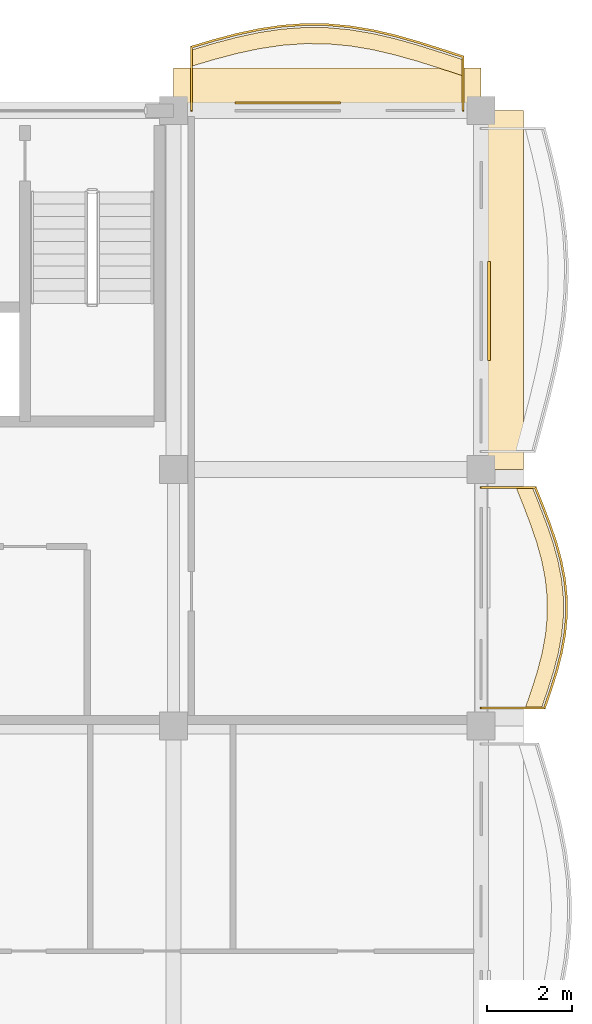
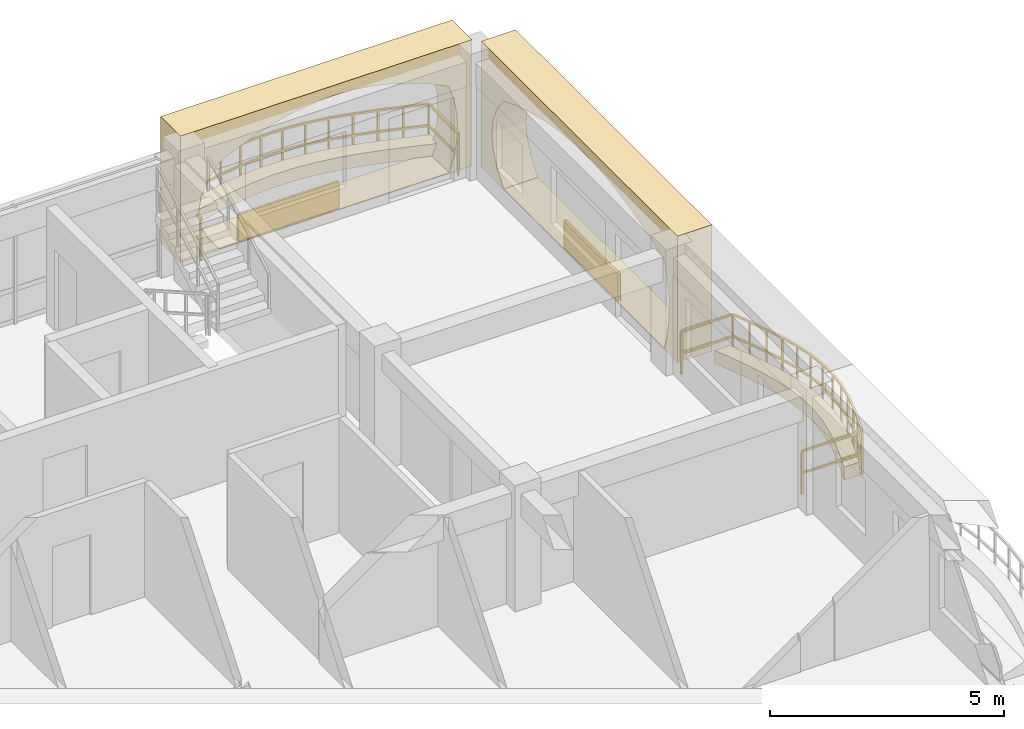
# One storey, part 75 of 76: 6 coverings, 2 railings.
"""IFC4 building model written with IfcOpenShell, lengths in metres."""

from ifc_helpers import new_model, si_unit, direction, frame, origin, origin_2d, place, context, subcontext, project, spatial, polyline, rectangle, outline, extrude, material, layer, layer_set, type_object, element, save


model = new_model("IFC4")

# Units and contexts
model_context = context("Model", 3, precision=1e-05, world=origin(), true_north=direction((0.0, 1.0)))
body_context = subcontext(model_context, "Body", "Model", "MODEL_VIEW")
ifc_project = project(units=[si_unit("LENGTHUNIT", "METRE"), si_unit("AREAUNIT", "SQUARE_METRE"), si_unit("VOLUMEUNIT", "CUBIC_METRE"), si_unit("PLANEANGLEUNIT", "RADIAN"), si_unit("MASSUNIT", "GRAM", prefix="KILO"), si_unit("THERMODYNAMICTEMPERATUREUNIT", "KELVIN")], contexts=[model_context])

# Site, building, storey
site_placement = place(None, origin())
site = spatial("IfcSite", under=ifc_project, at=site_placement, CompositionType="ELEMENT")
building_placement = place(site_placement, origin())
building = spatial("IfcBuilding", under=site, at=building_placement, Name="Thalorik Housing Commons", CompositionType="ELEMENT")
storey_placement = place(building_placement, frame((0.0, 0.0, 18.0)))
storey = spatial("IfcBuildingStorey", under=building, at=storey_placement, Name="L05", CompositionType="ELEMENT", Elevation=18.0)

# Coverings
ifc_material_1 = material(Name="Precast concrete C40/50", Category="concrete")
ifc_layer_1 = layer(ifc_material_1, 0.85009765625, Name="Precast concrete C40/50", Category="concrete")
ifc_layer_set_1 = layer_set([ifc_layer_1], Name="Precast concrete C40/50")
covering_type_1 = type_object("IfcCoveringType", Name="ARC-CLD-CUSH-850", PredefinedType="CLADDING", material=ifc_layer_set_1)
covering_1_placement = place(storey_placement, frame((174.570068359375, 119.39990234375, 0.0), z_axis=(0.0, 0.0, 1.0), x_axis=(0.0, 1.0, 0.0)))
element("IfcCovering", 1, at=covering_1_placement, inside=storey, type_object=covering_type_1, Name="L05 White Precast Curved Cushion Bay Frame 2204", PredefinedType="CLADDING", context=body_context, shape_type="SweptSolid", body=[
    extrude(outline(polyline([(-4.199951171875, 0.0), (4.199951171875, 0.0), (4.199951171875, 3.300048828125), (-4.199951171875, 3.300048828125), (-4.199951171875, 0.0)]), holes=[polyline([(3.239990234375, 0.02490234375), (3.523193359375, 0.407470703125), (3.693359375, 0.7900390625), (3.75, 1.172607421875), (3.693359375, 1.554931640625), (3.523193359375, 1.9375), (3.239990234375, 2.320068359375), (2.66748046875, 2.539306640625), (2.094970703125, 2.711181640625), (1.5224609375, 2.8505859375), (0.949951171875, 2.954345703125), (0.37744140625, 3.018310546875), (-0.195068359375, 3.0400390625), (-0.767578125, 3.018310546875), (-1.340087890625, 2.954345703125), (-1.91259765625, 2.8505859375), (-2.485107421875, 2.711181640625), (-3.0576171875, 2.539306640625), (-3.6298828125, 2.320068359375), (-3.750244140625, 1.9375), (-3.822509765625, 1.554931640625), (-3.8466796875, 1.172607421875), (-3.822509765625, 0.7900390625), (-3.750244140625, 0.407470703125), (-3.6298828125, 0.02490234375), (3.239990234375, 0.02490234375)])]), frame((0.0, 0.425048828125, 0.0), z_axis=(0.0, -1.0, 0.0), x_axis=(1.0, 0.0, 0.0)), (0.0, 0.0, 1.0), 0.85009765625),
])
covering_2_placement = place(storey_placement, frame((170.39990234375, 124.169921875, 0.0), z_axis=(0.0, 0.0, 1.0), x_axis=(-1.0, 0.0, 0.0)))
element("IfcCovering", 2, at=covering_2_placement, inside=storey, type_object=covering_type_1, Name="L05 White Precast Curved Cushion Bay Frame 2206", PredefinedType="CLADDING", context=body_context, shape_type="SweptSolid", body=[
    extrude(outline(polyline([(-3.60009765625, 0.0), (3.60009765625, 0.0), (3.60009765625, 3.300048828125), (-3.60009765625, 3.300048828125), (-3.60009765625, 0.0)]), holes=[polyline([(2.639892578125, 0.02490234375), (2.92333984375, 0.40087890625), (3.09326171875, 0.776611328125), (3.14990234375, 1.152587890625), (3.09326171875, 1.5283203125), (2.92333984375, 1.904296875), (2.639892578125, 2.280029296875), (2.16748046875, 2.51123046875), (1.695068359375, 2.693115234375), (1.222412109375, 2.840087890625), (0.75, 2.94970703125), (0.277587890625, 3.01708984375), (-0.195068359375, 3.0400390625), (-0.66748046875, 3.01708984375), (-1.139892578125, 2.94970703125), (-1.612548828125, 2.840087890625), (-2.0849609375, 2.693115234375), (-2.5576171875, 2.51123046875), (-3.030029296875, 2.280029296875), (-3.150390625, 1.904296875), (-3.222412109375, 1.5283203125), (-3.24658203125, 1.152587890625), (-3.222412109375, 0.776611328125), (-3.150390625, 0.40087890625), (-3.030029296875, 0.02490234375), (2.639892578125, 0.02490234375)])]), frame((0.0, 0.425048828125, 0.0), z_axis=(0.0, -1.0, 0.0), x_axis=(1.0, 0.0, 0.0)), (0.0, 0.0, 1.0), 0.85009765625),
])
ifc_material_2 = material(Name="Terracotta red mineral fibre-cement panel", Category="masonry")
ifc_layer_2 = layer(ifc_material_2, 0.054931640625, Name="Terracotta red mineral fibre-cement panel", Category="masonry")
ifc_layer_set_2 = layer_set([ifc_layer_2], Name="Terracotta red mineral fibre-cement panel")
covering_type_2 = type_object("IfcCoveringType", Name="ARC-CLD-RED-55", PredefinedType="CLADDING", material=ifc_layer_set_2)
covering_3_placement = place(storey_placement, frame((169.47509765625, 123.777587890625, 0.0498046875), z_axis=(0.0, 0.0, 1.0), x_axis=(-1.0, 0.0, 0.0)))
element("IfcCovering", 3, at=covering_3_placement, inside=storey, type_object=covering_type_2, Name="L05 De Stijl Recessed Window Spandrel 2207", PredefinedType="CLADDING", context=body_context, shape_type="SweptSolid", body=[
    extrude(rectangle(XDim=2.47998046875, YDim=0.054931640625, at=origin_2d()), origin(), (0.0, 0.0, 1.0), 0.699951171875),
])
ifc_material_3 = material(Name="Mineral ochre architectural terracotta panel", Category="masonry")
ifc_layer_3 = layer(ifc_material_3, 0.06494140625, Name="Mineral ochre architectural terracotta panel", Category="masonry")
ifc_layer_set_3 = layer_set([ifc_layer_3], Name="Mineral ochre architectural terracotta panel")
covering_type_3 = type_object("IfcCoveringType", Name="ARC-CLD-YEL-65", PredefinedType="CLADDING", material=ifc_layer_set_3)
covering_4_placement = place(storey_placement, frame((174.1826171875, 118.9150390625, 0.0498046875), z_axis=(0.0, 0.0, 1.0), x_axis=(0.0, 1.0, 0.0)))
element("IfcCovering", 4, at=covering_4_placement, inside=storey, type_object=covering_type_3, Name="L05 De Stijl Recessed Window Spandrel 2205", PredefinedType="CLADDING", context=body_context, shape_type="SweptSolid", body=[
    extrude(rectangle(XDim=2.320068359375, YDim=0.06494140625, at=origin_2d()), origin(), (0.0, 0.0, 1.0), 0.699951171875),
])
ifc_material_4 = material(Name="Planted vegetated substrate and terracotta trough", Category="masonry")
ifc_layer_4 = layer(ifc_material_4, 0.340087890625, Name="Planted vegetated substrate and terracotta trough", Category="masonry")
ifc_layer_set_4 = layer_set([ifc_layer_4], Name="Planted vegetated substrate and terracotta trough")
covering_type_4 = type_object("IfcCoveringType", Name="ARC-COV-PLANTER", PredefinedType="USERDEFINED", material=ifc_layer_set_4)
covering_5_placement = place(storey_placement, origin())
element("IfcCovering", 5, at=covering_5_placement, inside=storey, type_object=covering_type_4, Name="L05 Balcony Slab-Edge Planted Trough 5478", ObjectType="PLANTER", PredefinedType="USERDEFINED", context=body_context, shape_type="SweptSolid", body=[
    extrude(outline(polyline([(173.580078125, 124.79150390625), (173.050048828125, 124.964599609375), (172.52001953125, 125.131591796875), (171.989990234375, 125.281982421875), (171.4599609375, 125.4052734375), (170.929931640625, 125.493896484375), (170.39990234375, 125.541748046875), (169.8701171875, 125.54638671875), (169.340087890625, 125.5078125), (168.81005859375, 125.428955078125), (168.280029296875, 125.315185546875), (167.75, 125.175048828125), (167.219970703125, 125.017578125), (167.219970703125, 124.6376953125), (167.75, 124.794921875), (168.280029296875, 124.935302734375), (168.81005859375, 125.048828125), (169.340087890625, 125.1279296875), (169.8701171875, 125.16650390625), (170.39990234375, 125.161865234375), (170.929931640625, 125.11376953125), (171.4599609375, 125.025390625), (171.989990234375, 124.90185546875), (172.52001953125, 124.751708984375), (173.050048828125, 124.584716796875), (173.580078125, 124.41162109375), (173.580078125, 124.79150390625)])), origin(), (0.0, 0.0, 1.0), 0.340087890625),
])
covering_6_placement = place(storey_placement, origin())
element("IfcCovering", 6, at=covering_6_placement, inside=storey, type_object=covering_type_4, Name="L05 Balcony Slab-Edge Planted Trough 5479", ObjectType="PLANTER", PredefinedType="USERDEFINED", context=body_context, shape_type="SweptSolid", body=[
    extrude(outline(polyline([(175.412109375, 109.6201171875), (175.561767578125, 110.050048828125), (175.69677734375, 110.47998046875), (175.807861328125, 110.909912109375), (175.88671875, 111.340087890625), (175.927490234375, 111.77001953125), (175.926513671875, 112.199951171875), (175.88330078125, 112.6298828125), (175.80029296875, 113.06005859375), (175.681884765625, 113.489990234375), (175.535888671875, 113.919921875), (175.371337890625, 114.35009765625), (175.19921875, 114.780029296875), (174.819091796875, 114.780029296875), (174.991455078125, 114.35009765625), (175.156005859375, 113.919921875), (175.302001953125, 113.489990234375), (175.420166015625, 113.06005859375), (175.50341796875, 112.6298828125), (175.54638671875, 112.199951171875), (175.54736328125, 111.77001953125), (175.506591796875, 111.340087890625), (175.427734375, 110.909912109375), (175.31689453125, 110.47998046875), (175.181640625, 110.050048828125), (175.0322265625, 109.6201171875), (175.412109375, 109.6201171875)])), origin(), (0.0, 0.0, 1.0), 0.340087890625),
])

# Railings
ifc_material_5 = material(Name="Steel S355", Category="steel")
railing_type_1 = type_object("IfcRailingType", Name="ARC-RL-BAL-112", PredefinedType="BALUSTRADE", material=ifc_material_5)
railing_1_placement = place(storey_placement, frame((173.580078125, 123.60009765625, 0.0)))
element("IfcRailing", 7, at=railing_1_placement, inside=storey, type_object=railing_type_1, Name="L05 Cushion Balcony Guardrail 162", PredefinedType="BALUSTRADE", context=body_context, shape_type="SweptSolid", body=[
    extrude(rectangle(XDim=0.050048828125, YDim=0.050048828125, at=origin_2d()), frame((0.0, 0.0, 1.09521484375), z_axis=(0.0, 1.0, 0.0), x_axis=(-1.0, 0.0, 0.0)), (0.0, 0.0, 1.0), 1.261474609375),
    extrude(rectangle(XDim=0.050048828125, YDim=0.050048828125, at=origin_2d()), frame((0.0, 0.0, 0.53515625), z_axis=(0.0, 1.0, 0.0), x_axis=(-1.0, 0.0, 0.0)), (0.0, 0.0, 1.0), 1.261474609375),
    extrude(rectangle(XDim=0.050048828125, YDim=0.050048828125, at=origin_2d()), frame((0.0, 1.261474609375, 1.09521484375), z_axis=(-0.950592272068, 0.310442156101, 0.0), x_axis=(-0.310442156101, -0.950592272068, 0.0)), (0.0, 0.0, 1.0), 0.5576171875),
    extrude(rectangle(XDim=0.050048828125, YDim=0.050048828125, at=origin_2d()), frame((0.0, 1.261474609375, 0.53515625), z_axis=(-0.950592272068, 0.310442156101, 0.0), x_axis=(-0.310442156101, -0.950592272068, 0.0)), (0.0, 0.0, 1.0), 0.5576171875),
    extrude(rectangle(XDim=0.050048828125, YDim=0.050048828125, at=origin_2d()), frame((-0.530029296875, 1.4345703125, 1.09521484375), z_axis=(-0.953781648166, 0.300500528487, 0.0), x_axis=(-0.300500528487, -0.953781648166, 0.0)), (0.0, 0.0, 1.0), 0.5556640625),
    extrude(rectangle(XDim=0.050048828125, YDim=0.050048828125, at=origin_2d()), frame((-0.530029296875, 1.4345703125, 0.53515625), z_axis=(-0.953781648166, 0.300500528487, 0.0), x_axis=(-0.300500528487, -0.953781648166, 0.0)), (0.0, 0.0, 1.0), 0.5556640625),
    extrude(rectangle(XDim=0.050048828125, YDim=0.050048828125, at=origin_2d()), frame((-1.06005859375, 1.6015625, 1.09521484375), z_axis=(-0.962140285996, 0.27255471022, 0.0), x_axis=(-0.27255471022, -0.962140285996, 0.0)), (0.0, 0.0, 1.0), 0.55078125),
    extrude(rectangle(XDim=0.050048828125, YDim=0.050048828125, at=origin_2d()), frame((-1.06005859375, 1.6015625, 0.53515625), z_axis=(-0.962140285996, 0.27255471022, 0.0), x_axis=(-0.27255471022, -0.962140285996, 0.0)), (0.0, 0.0, 1.0), 0.55078125),
    extrude(rectangle(XDim=0.050048828125, YDim=0.050048828125, at=origin_2d()), frame((-1.590087890625, 1.751708984375, 1.09521484375), z_axis=(-0.973897431407, 0.226988530765, 0.0), x_axis=(-0.226988530765, -0.973897431407, 0.0)), (0.0, 0.0, 1.0), 0.544189453125),
    extrude(rectangle(XDim=0.050048828125, YDim=0.050048828125, at=origin_2d()), frame((-1.590087890625, 1.751708984375, 0.53515625), z_axis=(-0.973897431407, 0.226988530765, 0.0), x_axis=(-0.226988530765, -0.973897431407, 0.0)), (0.0, 0.0, 1.0), 0.544189453125),
    extrude(rectangle(XDim=0.050048828125, YDim=0.050048828125, at=origin_2d()), frame((-2.1201171875, 1.875244140625, 1.09521484375), z_axis=(-0.986381641503, 0.164472664313, 0.0), x_axis=(-0.164472664313, -0.986381641503, 0.0)), (0.0, 0.0, 1.0), 0.537353515625),
    extrude(rectangle(XDim=0.050048828125, YDim=0.050048828125, at=origin_2d()), frame((-2.1201171875, 1.875244140625, 0.53515625), z_axis=(-0.986381641503, 0.164472664313, 0.0), x_axis=(-0.164472664313, -0.986381641503, 0.0)), (0.0, 0.0, 1.0), 0.537353515625),
    extrude(rectangle(XDim=0.050048828125, YDim=0.050048828125, at=origin_2d()), frame((-2.650146484375, 1.963623046875, 1.09521484375), z_axis=(-0.995908233135, 0.090370300289, 0.0), x_axis=(-0.090370300289, -0.995908233135, 0.0)), (0.0, 0.0, 1.0), 0.5322265625),
    extrude(rectangle(XDim=0.050048828125, YDim=0.050048828125, at=origin_2d()), frame((-2.650146484375, 1.963623046875, 0.53515625), z_axis=(-0.995908233135, 0.090370300289, 0.0), x_axis=(-0.090370300289, -0.995908233135, 0.0)), (0.0, 0.0, 1.0), 0.5322265625),
    extrude(rectangle(XDim=0.050048828125, YDim=0.050048828125, at=origin_2d()), frame((-3.18017578125, 2.01171875, 1.09521484375), z_axis=(-0.999961670534, 0.008755424765, 0.0), x_axis=(-0.008755424765, -0.999961670534, 0.0)), (0.0, 0.0, 1.0), 0.52978515625),
    extrude(rectangle(XDim=0.050048828125, YDim=0.050048828125, at=origin_2d()), frame((-3.18017578125, 2.01171875, 0.53515625), z_axis=(-0.999961670534, 0.008755424765, 0.0), x_axis=(-0.008755424765, -0.999961670534, 0.0)), (0.0, 0.0, 1.0), 0.52978515625),
    extrude(rectangle(XDim=0.050048828125, YDim=0.050048828125, at=origin_2d()), frame((-3.7099609375, 2.016357421875, 1.09521484375), z_axis=(-0.997362190046, -0.072585548608, 0.0), x_axis=(0.072585548608, -0.997362190046, 0.0)), (0.0, 0.0, 1.0), 0.531494140625),
    extrude(rectangle(XDim=0.050048828125, YDim=0.050048828125, at=origin_2d()), frame((-3.7099609375, 2.016357421875, 0.53515625), z_axis=(-0.997362190046, -0.072585548608, 0.0), x_axis=(0.072585548608, -0.997362190046, 0.0)), (0.0, 0.0, 1.0), 0.531494140625),
    extrude(rectangle(XDim=0.050048828125, YDim=0.050048828125, at=origin_2d()), frame((-4.239990234375, 1.977783203125, 1.09521484375), z_axis=(-0.989046352498, -0.147605259424, 0.0), x_axis=(0.147605259424, -0.989046352498, 0.0)), (0.0, 0.0, 1.0), 0.535888671875),
    extrude(rectangle(XDim=0.050048828125, YDim=0.050048828125, at=origin_2d()), frame((-4.239990234375, 1.977783203125, 0.53515625), z_axis=(-0.989046352498, -0.147605259424, 0.0), x_axis=(0.147605259424, -0.989046352498, 0.0)), (0.0, 0.0, 1.0), 0.535888671875),
    extrude(rectangle(XDim=0.050048828125, YDim=0.050048828125, at=origin_2d()), frame((-4.77001953125, 1.898681640625, 1.09521484375), z_axis=(-0.977822183458, -0.209436810368, 0.0), x_axis=(0.209436810368, -0.977822183458, 0.0)), (0.0, 0.0, 1.0), 0.5419921875),
    extrude(rectangle(XDim=0.050048828125, YDim=0.050048828125, at=origin_2d()), frame((-4.77001953125, 1.898681640625, 0.53515625), z_axis=(-0.977822183458, -0.209436810368, 0.0), x_axis=(0.209436810368, -0.977822183458, 0.0)), (0.0, 0.0, 1.0), 0.5419921875),
    extrude(rectangle(XDim=0.050048828125, YDim=0.050048828125, at=origin_2d()), frame((-5.300048828125, 1.78515625, 1.09521484375), z_axis=(-0.966779706099, -0.255611032382, 0.0), x_axis=(0.255611032382, -0.966779706099, 0.0)), (0.0, 0.0, 1.0), 0.54833984375),
    extrude(rectangle(XDim=0.050048828125, YDim=0.050048828125, at=origin_2d()), frame((-5.300048828125, 1.78515625, 0.53515625), z_axis=(-0.966779706099, -0.255611032382, 0.0), x_axis=(0.255611032382, -0.966779706099, 0.0)), (0.0, 0.0, 1.0), 0.54833984375),
    extrude(rectangle(XDim=0.050048828125, YDim=0.050048828125, at=origin_2d()), frame((-5.830078125, 1.64501953125, 1.09521484375), z_axis=(-0.958588495566, -0.284794831709, 0.0), x_axis=(0.284794831709, -0.958588495566, 0.0)), (0.0, 0.0, 1.0), 0.552978515625),
    extrude(rectangle(XDim=0.050048828125, YDim=0.050048828125, at=origin_2d()), frame((-5.830078125, 1.64501953125, 0.53515625), z_axis=(-0.958588495566, -0.284794831709, 0.0), x_axis=(0.284794831709, -0.958588495566, 0.0)), (0.0, 0.0, 1.0), 0.552978515625),
    extrude(rectangle(XDim=0.050048828125, YDim=0.050048828125, at=origin_2d()), frame((-6.360107421875, 1.487548828125, 1.09521484375), z_axis=(0.0, -1.0, 0.0), x_axis=(1.0, 0.0, 0.0)), (0.0, 0.0, 1.0), 1.487548828125),
    extrude(rectangle(XDim=0.050048828125, YDim=0.050048828125, at=origin_2d()), frame((-6.360107421875, 1.487548828125, 0.53515625), z_axis=(0.0, -1.0, 0.0), x_axis=(1.0, 0.0, 0.0)), (0.0, 0.0, 1.0), 1.487548828125),
    extrude(rectangle(XDim=0.0419921875, YDim=0.0419921875, at=origin_2d()), origin(), (0.0, 0.0, 1.0), 1.070068359375),
    extrude(rectangle(XDim=0.0419921875, YDim=0.0419921875, at=origin_2d()), frame((0.0, 1.261474609375, 0.0)), (0.0, 0.0, 1.0), 1.070068359375),
    extrude(rectangle(XDim=0.0419921875, YDim=0.0419921875, at=origin_2d()), frame((-0.530029296875, 1.4345703125, 0.0)), (0.0, 0.0, 1.0), 1.070068359375),
    extrude(rectangle(XDim=0.0419921875, YDim=0.0419921875, at=origin_2d()), frame((-1.06005859375, 1.6015625, 0.0)), (0.0, 0.0, 1.0), 1.070068359375),
    extrude(rectangle(XDim=0.0419921875, YDim=0.0419921875, at=origin_2d()), frame((-1.590087890625, 1.751708984375, 0.0)), (0.0, 0.0, 1.0), 1.070068359375),
    extrude(rectangle(XDim=0.0419921875, YDim=0.0419921875, at=origin_2d()), frame((-2.1201171875, 1.875244140625, 0.0)), (0.0, 0.0, 1.0), 1.070068359375),
    extrude(rectangle(XDim=0.0419921875, YDim=0.0419921875, at=origin_2d()), frame((-2.650146484375, 1.963623046875, 0.0)), (0.0, 0.0, 1.0), 1.070068359375),
    extrude(rectangle(XDim=0.0419921875, YDim=0.0419921875, at=origin_2d()), frame((-3.18017578125, 2.01171875, 0.0)), (0.0, 0.0, 1.0), 1.070068359375),
    extrude(rectangle(XDim=0.0419921875, YDim=0.0419921875, at=origin_2d()), frame((-3.7099609375, 2.016357421875, 0.0)), (0.0, 0.0, 1.0), 1.070068359375),
    extrude(rectangle(XDim=0.0419921875, YDim=0.0419921875, at=origin_2d()), frame((-4.239990234375, 1.977783203125, 0.0)), (0.0, 0.0, 1.0), 1.070068359375),
    extrude(rectangle(XDim=0.0419921875, YDim=0.0419921875, at=origin_2d()), frame((-4.77001953125, 1.898681640625, 0.0)), (0.0, 0.0, 1.0), 1.070068359375),
    extrude(rectangle(XDim=0.0419921875, YDim=0.0419921875, at=origin_2d()), frame((-5.300048828125, 1.78515625, 0.0)), (0.0, 0.0, 1.0), 1.070068359375),
    extrude(rectangle(XDim=0.0419921875, YDim=0.0419921875, at=origin_2d()), frame((-5.830078125, 1.64501953125, 0.0)), (0.0, 0.0, 1.0), 1.070068359375),
    extrude(rectangle(XDim=0.0419921875, YDim=0.0419921875, at=origin_2d()), frame((-6.360107421875, 1.487548828125, 0.0)), (0.0, 0.0, 1.0), 1.070068359375),
    extrude(rectangle(XDim=0.0419921875, YDim=0.0419921875, at=origin_2d()), frame((-6.360107421875, 0.0, 0.0)), (0.0, 0.0, 1.0), 1.070068359375),
])
railing_type_2 = type_object("IfcRailingType", Name="ARC-RL-BAL-115", PredefinedType="BALUSTRADE", material=ifc_material_5)
railing_2_placement = place(storey_placement, frame((174.0, 109.6201171875, 0.0)))
element("IfcRailing", 8, at=railing_2_placement, inside=storey, type_object=railing_type_2, Name="L05 Cushion Balcony Guardrail 163", PredefinedType="BALUSTRADE", context=body_context, shape_type="SweptSolid", body=[
    extrude(rectangle(XDim=0.050048828125, YDim=0.050048828125, at=origin_2d()), frame((0.0, 0.0, 1.125), z_axis=(1.0, 0.0, 0.0), x_axis=(0.0, 1.0, 0.0)), (0.0, 0.0, 1.0), 1.482177734375),
    extrude(rectangle(XDim=0.050048828125, YDim=0.050048828125, at=origin_2d()), frame((0.0, 0.0, 0.5498046875), z_axis=(1.0, 0.0, 0.0), x_axis=(0.0, 1.0, 0.0)), (0.0, 0.0, 1.0), 1.482177734375),
    extrude(rectangle(XDim=0.050048828125, YDim=0.050048828125, at=origin_2d()), frame((1.482177734375, 0.0, 1.125), z_axis=(0.328270961244, 0.944583599267, 0.0), x_axis=(-0.944583599267, 0.328270961244, 0.0)), (0.0, 0.0, 1.0), 0.455078125),
    extrude(rectangle(XDim=0.050048828125, YDim=0.050048828125, at=origin_2d()), frame((1.482177734375, 0.0, 0.5498046875), z_axis=(0.328270961244, 0.944583599267, 0.0), x_axis=(-0.944583599267, 0.328270961244, 0.0)), (0.0, 0.0, 1.0), 0.455078125),
    extrude(rectangle(XDim=0.050048828125, YDim=0.050048828125, at=origin_2d()), frame((1.631591796875, 0.429931640625, 1.125), z_axis=(0.300094208559, 0.953909569084, 0.0), x_axis=(-0.953909569084, 0.300094208559, 0.0)), (0.0, 0.0, 1.0), 0.45068359375),
    extrude(rectangle(XDim=0.050048828125, YDim=0.050048828125, at=origin_2d()), frame((1.631591796875, 0.429931640625, 0.5498046875), z_axis=(0.300094208559, 0.953909569084, 0.0), x_axis=(-0.953909569084, 0.300094208559, 0.0)), (0.0, 0.0, 1.0), 0.45068359375),
    extrude(rectangle(XDim=0.050048828125, YDim=0.050048828125, at=origin_2d()), frame((1.766845703125, 0.85986328125, 1.125), z_axis=(0.249645184872, 0.968337380085, 0.0), x_axis=(-0.968337380085, 0.249645184872, 0.0)), (0.0, 0.0, 1.0), 0.444091796875),
    extrude(rectangle(XDim=0.050048828125, YDim=0.050048828125, at=origin_2d()), frame((1.766845703125, 0.85986328125, 0.5498046875), z_axis=(0.249645184872, 0.968337380085, 0.0), x_axis=(-0.968337380085, 0.249645184872, 0.0)), (0.0, 0.0, 1.0), 0.444091796875),
    extrude(rectangle(XDim=0.050048828125, YDim=0.050048828125, at=origin_2d()), frame((1.877685546875, 1.289794921875, 1.125), z_axis=(0.180849870215, 0.983510713944, 0.0), x_axis=(-0.983510713944, 0.180849870215, 0.0)), (0.0, 0.0, 1.0), 0.4375),
    extrude(rectangle(XDim=0.050048828125, YDim=0.050048828125, at=origin_2d()), frame((1.877685546875, 1.289794921875, 0.5498046875), z_axis=(0.180849870215, 0.983510713944, 0.0), x_axis=(-0.983510713944, 0.180849870215, 0.0)), (0.0, 0.0, 1.0), 0.4375),
    extrude(rectangle(XDim=0.050048828125, YDim=0.050048828125, at=origin_2d()), frame((1.956787109375, 1.719970703125, 1.125), z_axis=(0.093848583775, 0.995586482092, 0.0), x_axis=(-0.995586482092, 0.093848583775, 0.0)), (0.0, 0.0, 1.0), 0.431884765625),
    extrude(rectangle(XDim=0.050048828125, YDim=0.050048828125, at=origin_2d()), frame((1.956787109375, 1.719970703125, 0.5498046875), z_axis=(0.093848583775, 0.995586482092, 0.0), x_axis=(-0.995586482092, 0.093848583775, 0.0)), (0.0, 0.0, 1.0), 0.431884765625),
    extrude(rectangle(XDim=0.050048828125, YDim=0.050048828125, at=origin_2d()), frame((1.997314453125, 2.14990234375, 1.125), z_axis=(-0.001703575041, 0.999998548915, 0.0), x_axis=(-0.999998548915, -0.001703575041, 0.0)), (0.0, 0.0, 1.0), 0.429931640625),
    extrude(rectangle(XDim=0.050048828125, YDim=0.050048828125, at=origin_2d()), frame((1.997314453125, 2.14990234375, 0.5498046875), z_axis=(-0.001703575041, 0.999998548915, 0.0), x_axis=(-0.999998548915, -0.001703575041, 0.0)), (0.0, 0.0, 1.0), 0.429931640625),
    extrude(rectangle(XDim=0.050048828125, YDim=0.050048828125, at=origin_2d()), frame((1.99658203125, 2.579833984375, 1.125), z_axis=(-0.100007182618, 0.9949867152, 0.0), x_axis=(-0.9949867152, -0.100007182618, 0.0)), (0.0, 0.0, 1.0), 0.43212890625),
    extrude(rectangle(XDim=0.050048828125, YDim=0.050048828125, at=origin_2d()), frame((1.99658203125, 2.579833984375, 0.5498046875), z_axis=(-0.100007182618, 0.9949867152, 0.0), x_axis=(-0.9949867152, -0.100007182618, 0.0)), (0.0, 0.0, 1.0), 0.43212890625),
    extrude(rectangle(XDim=0.050048828125, YDim=0.050048828125, at=origin_2d()), frame((1.953369140625, 3.009765625, 1.125), z_axis=(-0.190004581417, 0.981783203686, 0.0), x_axis=(-0.981783203686, -0.190004581417, 0.0)), (0.0, 0.0, 1.0), 0.438232421875),
    extrude(rectangle(XDim=0.050048828125, YDim=0.050048828125, at=origin_2d()), frame((1.953369140625, 3.009765625, 0.5498046875), z_axis=(-0.190004581417, 0.981783203686, 0.0), x_axis=(-0.981783203686, -0.190004581417, 0.0)), (0.0, 0.0, 1.0), 0.438232421875),
    extrude(rectangle(XDim=0.050048828125, YDim=0.050048828125, at=origin_2d()), frame((1.8701171875, 3.43994140625, 1.125), z_axis=(-0.265016489476, 0.964243880098, 0.0), x_axis=(-0.964243880098, -0.265016489476, 0.0)), (0.0, 0.0, 1.0), 0.44580078125),
    extrude(rectangle(XDim=0.050048828125, YDim=0.050048828125, at=origin_2d()), frame((1.8701171875, 3.43994140625, 0.5498046875), z_axis=(-0.265016489476, 0.964243880098, 0.0), x_axis=(-0.964243880098, -0.265016489476, 0.0)), (0.0, 0.0, 1.0), 0.44580078125),
    extrude(rectangle(XDim=0.050048828125, YDim=0.050048828125, at=origin_2d()), frame((1.751953125, 3.869873046875, 1.125), z_axis=(-0.321546041533, 0.946893945051, 0.0), x_axis=(-0.946893945051, -0.321546041533, 0.0)), (0.0, 0.0, 1.0), 0.4541015625),
    extrude(rectangle(XDim=0.050048828125, YDim=0.050048828125, at=origin_2d()), frame((1.751953125, 3.869873046875, 0.5498046875), z_axis=(-0.321546041533, 0.946893945051, 0.0), x_axis=(-0.946893945051, -0.321546041533, 0.0)), (0.0, 0.0, 1.0), 0.4541015625),
    extrude(rectangle(XDim=0.050048828125, YDim=0.050048828125, at=origin_2d()), frame((1.60595703125, 4.2998046875, 1.125), z_axis=(-0.357273482842, 0.933999817162, 0.0), x_axis=(-0.933999817162, -0.357273482842, 0.0)), (0.0, 0.0, 1.0), 0.460693359375),
    extrude(rectangle(XDim=0.050048828125, YDim=0.050048828125, at=origin_2d()), frame((1.60595703125, 4.2998046875, 0.5498046875), z_axis=(-0.357273482842, 0.933999817162, 0.0), x_axis=(-0.933999817162, -0.357273482842, 0.0)), (0.0, 0.0, 1.0), 0.460693359375),
    extrude(rectangle(XDim=0.050048828125, YDim=0.050048828125, at=origin_2d()), frame((1.44140625, 4.72998046875, 1.125), z_axis=(-0.371663340705, 0.928367578697, 0.0), x_axis=(-0.928367578697, -0.371663340705, 0.0)), (0.0, 0.0, 1.0), 0.463134765625),
    extrude(rectangle(XDim=0.050048828125, YDim=0.050048828125, at=origin_2d()), frame((1.44140625, 4.72998046875, 0.5498046875), z_axis=(-0.371663340705, 0.928367578697, 0.0), x_axis=(-0.928367578697, -0.371663340705, 0.0)), (0.0, 0.0, 1.0), 0.463134765625),
    extrude(rectangle(XDim=0.050048828125, YDim=0.050048828125, at=origin_2d()), frame((1.269287109375, 5.159912109375, 1.125), z_axis=(-1.0, 0.0, 0.0), x_axis=(0.0, -1.0, 0.0)), (0.0, 0.0, 1.0), 1.269287109375),
    extrude(rectangle(XDim=0.050048828125, YDim=0.050048828125, at=origin_2d()), frame((1.269287109375, 5.159912109375, 0.5498046875), z_axis=(-1.0, 0.0, 0.0), x_axis=(0.0, -1.0, 0.0)), (0.0, 0.0, 1.0), 1.269287109375),
    extrude(rectangle(XDim=0.0419921875, YDim=0.0419921875, at=origin_2d()), origin(), (0.0, 0.0, 1.0), 1.099853515625),
    extrude(rectangle(XDim=0.0419921875, YDim=0.0419921875, at=origin_2d()), frame((1.482177734375, 0.0, 0.0)), (0.0, 0.0, 1.0), 1.099853515625),
    extrude(rectangle(XDim=0.0419921875, YDim=0.0419921875, at=origin_2d()), frame((1.631591796875, 0.429931640625, 0.0)), (0.0, 0.0, 1.0), 1.099853515625),
    extrude(rectangle(XDim=0.0419921875, YDim=0.0419921875, at=origin_2d()), frame((1.766845703125, 0.85986328125, 0.0)), (0.0, 0.0, 1.0), 1.099853515625),
    extrude(rectangle(XDim=0.0419921875, YDim=0.0419921875, at=origin_2d()), frame((1.877685546875, 1.289794921875, 0.0)), (0.0, 0.0, 1.0), 1.099853515625),
    extrude(rectangle(XDim=0.0419921875, YDim=0.0419921875, at=origin_2d()), frame((1.956787109375, 1.719970703125, 0.0)), (0.0, 0.0, 1.0), 1.099853515625),
    extrude(rectangle(XDim=0.0419921875, YDim=0.0419921875, at=origin_2d()), frame((1.997314453125, 2.14990234375, 0.0)), (0.0, 0.0, 1.0), 1.099853515625),
    extrude(rectangle(XDim=0.0419921875, YDim=0.0419921875, at=origin_2d()), frame((1.99658203125, 2.579833984375, 0.0)), (0.0, 0.0, 1.0), 1.099853515625),
    extrude(rectangle(XDim=0.0419921875, YDim=0.0419921875, at=origin_2d()), frame((1.953369140625, 3.009765625, 0.0)), (0.0, 0.0, 1.0), 1.099853515625),
    extrude(rectangle(XDim=0.0419921875, YDim=0.0419921875, at=origin_2d()), frame((1.8701171875, 3.43994140625, 0.0)), (0.0, 0.0, 1.0), 1.099853515625),
    extrude(rectangle(XDim=0.0419921875, YDim=0.0419921875, at=origin_2d()), frame((1.751953125, 3.869873046875, 0.0)), (0.0, 0.0, 1.0), 1.099853515625),
    extrude(rectangle(XDim=0.0419921875, YDim=0.0419921875, at=origin_2d()), frame((1.60595703125, 4.2998046875, 0.0)), (0.0, 0.0, 1.0), 1.099853515625),
    extrude(rectangle(XDim=0.0419921875, YDim=0.0419921875, at=origin_2d()), frame((1.44140625, 4.72998046875, 0.0)), (0.0, 0.0, 1.0), 1.099853515625),
    extrude(rectangle(XDim=0.0419921875, YDim=0.0419921875, at=origin_2d()), frame((1.269287109375, 5.159912109375, 0.0)), (0.0, 0.0, 1.0), 1.099853515625),
    extrude(rectangle(XDim=0.0419921875, YDim=0.0419921875, at=origin_2d()), frame((0.0, 5.159912109375, 0.0)), (0.0, 0.0, 1.0), 1.099853515625),
])

save(model, "model.ifc")
